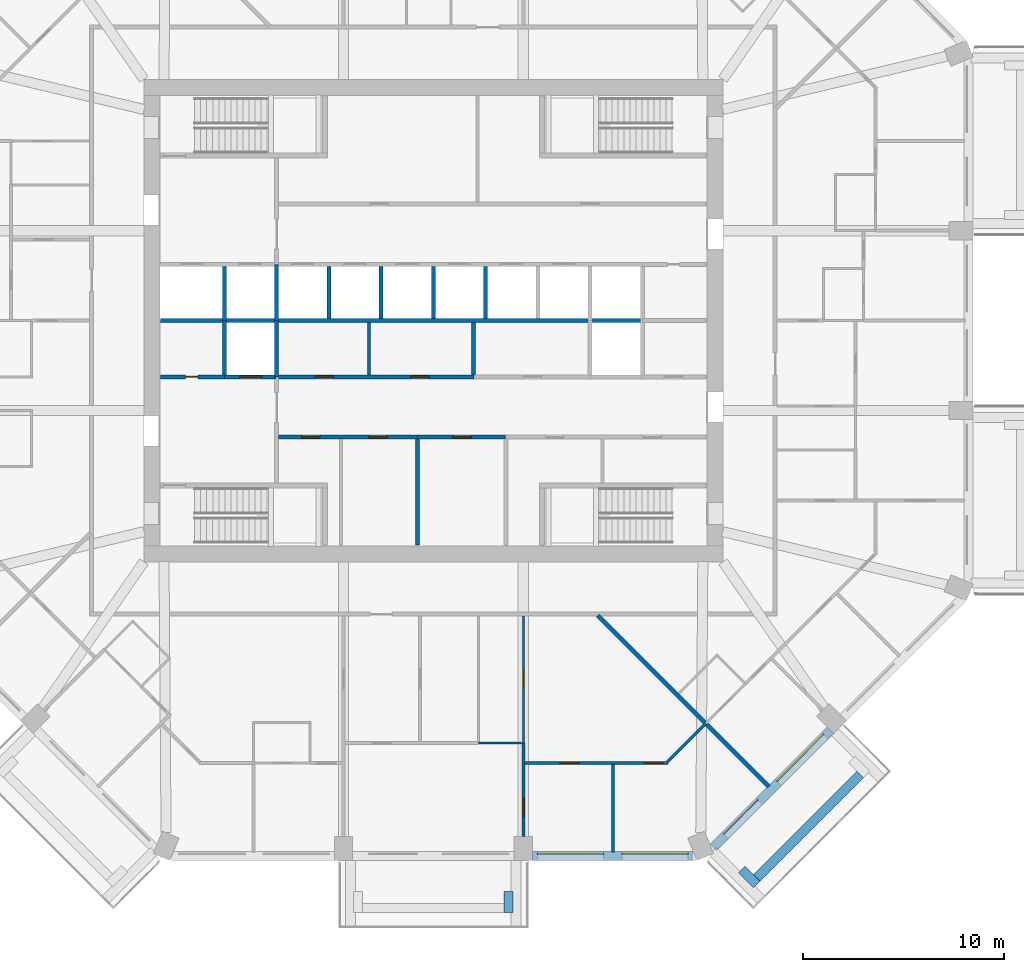
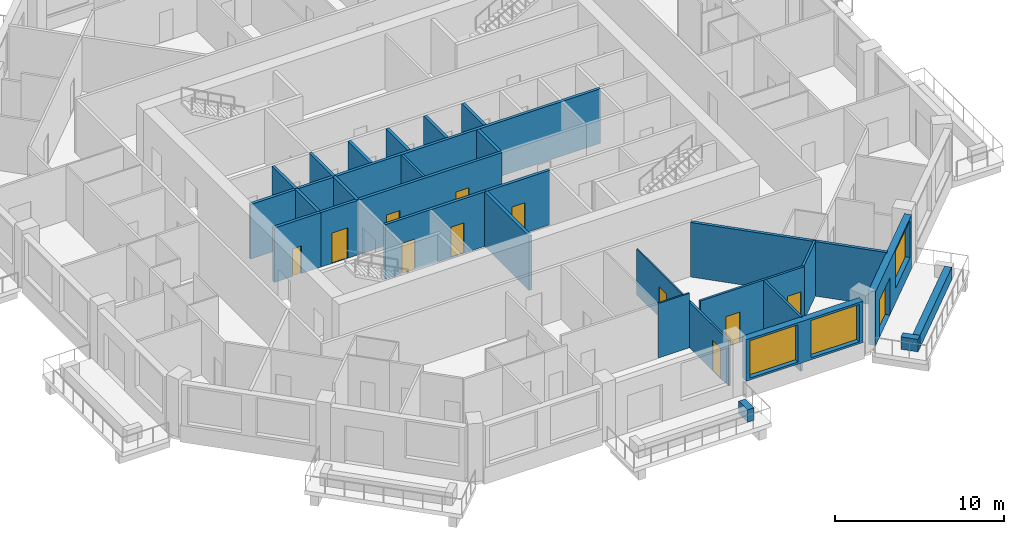
# One storey, part 5 of 13: 29 walls, 12 doors, 3 windows, 15 openings.
"""IFC4 building model written with IfcOpenShell, lengths in metres."""

from ifc_helpers import new_model, si_unit, direction, frame, frame_2d, origin, place, context, subcontext, project, spatial, rectangle, extrude, material, layer, layer_set, type_object, element, fill, save


model = new_model("IFC4")

# Units and contexts
model_context = context("Model", 3, precision=1e-05, world=origin(), true_north=direction((0.0, 1.0)))
body_context = subcontext(model_context, "Body", "Model", "MODEL_VIEW")
ifc_project = project(units=[si_unit("LENGTHUNIT", "METRE"), si_unit("AREAUNIT", "SQUARE_METRE"), si_unit("VOLUMEUNIT", "CUBIC_METRE"), si_unit("PLANEANGLEUNIT", "RADIAN"), si_unit("MASSUNIT", "GRAM", prefix="KILO")], contexts=[model_context])

# Site, building, storey
site_placement = place(None, origin())
site = spatial("IfcSite", under=ifc_project, at=site_placement, CompositionType="ELEMENT")
building_placement = place(site_placement, origin())
building = spatial("IfcBuilding", under=site, at=building_placement, Name="Msitu Wima Residences", CompositionType="ELEMENT")
storey_placement = place(building_placement, frame((0.0, 0.0, 131.699951171875)))
storey = spatial("IfcBuildingStorey", under=building, at=storey_placement, Name="L30", CompositionType="ELEMENT", Elevation=131.699951171875)

# Walls
ifc_material_1 = material(Name="Facing brick")
ifc_layer_1 = layer(ifc_material_1, 0.06494140625, Name="Facing brick")
ifc_material_2 = material(Name="Concrete C40/50", Category="concrete")
ifc_layer_2 = layer(ifc_material_2, 0.156005859375, Name="Concrete C40/50")
ifc_material_3 = material(Name="Waterproofing membrane")
ifc_layer_3 = layer(ifc_material_3, 0.00390625, Name="Waterproofing membrane")
ifc_material_4 = material(Name="Planting soil and planting")
ifc_layer_4 = layer(ifc_material_4, 0.22509765625, Name="Planting soil and planting")
ifc_layer_set_1 = layer_set([ifc_layer_1, ifc_layer_2, ifc_layer_3, ifc_layer_4], Name="Concrete C40/50")
wall_type_1 = type_object("IfcWallType", Name="Balcony planter PLANTER PL450", PredefinedType="USERDEFINED", material=ifc_layer_set_1)
wall_1_placement = place(storey_placement, frame((3.74365234375, -28.39990234375, 0.0), z_axis=(0.0, 0.0, 1.0), x_axis=(0.0, -1.0, 0.0)))
element("IfcWall", 1, at=wall_1_placement, inside=storey, type_object=wall_type_1, Name="Balcony planter S1 L30", ObjectType="PLANTER", PredefinedType="USERDEFINED", context=body_context, shape_type="SweptSolid", body=[
    extrude(rectangle(XDim=1.050048828125, YDim=0.449951171875, at=frame_2d((0.52490234375, 0.0))), origin(), (0.0, 0.0, 1.0), 0.900146484375),
])
wall_2_placement = place(storey_placement, frame((16.0751953125, -27.725830078125, 0.0), z_axis=(0.0, 0.0, 1.0), x_axis=(0.707106781187, 0.707106781187, 0.0)))
element("IfcWall", 2, at=wall_2_placement, inside=storey, type_object=wall_type_1, Name="Balcony planter SE0 L30", ObjectType="PLANTER", PredefinedType="USERDEFINED", context=body_context, shape_type="SweptSolid", body=[
    extrude(rectangle(XDim=7.288330078125, YDim=0.449951171875, at=frame_2d((3.64404296875, 0.0))), origin(), (0.0, 0.0, 1.0), 0.900146484375),
])
wall_3_placement = place(storey_placement, frame((15.332763671875, -27.301513671875, 0.0), z_axis=(0.0, 0.0, 1.0), x_axis=(0.707106781187, -0.707106781187, 0.0)))
element("IfcWall", 3, at=wall_3_placement, inside=storey, type_object=wall_type_1, Name="Balcony planter SE0 L30", ObjectType="PLANTER", PredefinedType="USERDEFINED", context=body_context, shape_type="SweptSolid", body=[
    extrude(rectangle(XDim=1.050048828125, YDim=0.449951171875, at=frame_2d((0.52490234375, 0.0))), origin(), (0.0, 0.0, 1.0), 0.900146484375),
])

# Wall, openings, windows
ifc_material_5 = material(Name="Brick (red buff mix)", Category="masonry")
ifc_layer_5 = layer(ifc_material_5, 0.449951171875)
ifc_layer_set_2 = layer_set([ifc_layer_5], Name="Brick (red buff mix)")
wall_type_2 = type_object("IfcWallType", Name="Brick infill wall BW450", PredefinedType="SOLIDWALL", material=ifc_layer_set_2)
wall_4_placement = place(storey_placement, frame((4.918701171875, -26.625, 0.900146484375), z_axis=(0.0, 0.0, 1.0), x_axis=(1.0, 0.0, 0.0)))
wall_4 = element("IfcWall", 4, at=wall_4_placement, inside=storey, type_object=wall_type_2, Name="Brick infill wall L30 S2", PredefinedType="SOLIDWALL", context=body_context, shape_type="SweptSolid", body=[
    extrude(rectangle(XDim=8.0, YDim=0.449951171875, at=frame_2d((4.0, 0.0))), origin(), (0.0, 0.0, 1.0), 3.0),
])
opening_1_placement = place(wall_4_placement, frame((0.25, 0.0, 0.14990234375)))
opening_1 = element("IfcOpeningElement", 5, at=opening_1_placement, cuts=wall_4, Name="Opening W30-32.019", PredefinedType="OPENING", context=body_context, shape_type="SweptSolid", body=[
    extrude(rectangle(XDim=3.300048828125, YDim=2.699951171875, at=frame_2d((1.64990234375, 1.35009765625))), frame((0.0, 0.23486328125, 0.0), z_axis=(0.0, -1.0, 0.0), x_axis=(1.0, 0.0, 0.0)), (0.0, 0.0, 1.0), 0.469970703125),
])
opening_2_placement = place(wall_4_placement, frame((4.4501953125, 0.0, 0.14990234375)))
opening_2 = element("IfcOpeningElement", 6, at=opening_2_placement, cuts=wall_4, Name="Opening W30-32.020", PredefinedType="OPENING", context=body_context, shape_type="SweptSolid", body=[
    extrude(rectangle(XDim=3.300048828125, YDim=2.699951171875, at=frame_2d((1.64990234375, 1.35009765625))), frame((0.0, 0.23486328125, 0.0), z_axis=(0.0, -1.0, 0.0), x_axis=(1.0, 0.0, 0.0)), (0.0, 0.0, 1.0), 0.469970703125),
])
ifc_material_6 = material(Name="Anodised aluminium, bronze finish, clear low-emissivity double glazing", Category="aluminium")
window_type = type_object("IfcWindowType", Name="Window W3300x2700", PartitioningType="DOUBLE_PANEL_VERTICAL", PredefinedType="WINDOW", material=ifc_material_6)
window_1_placement = place(opening_1_placement, origin())
window_1 = element("IfcWindow", 7, at=window_1_placement, inside=storey, type_object=window_type, Name="Window L30 S2.1", OverallHeight=2.699951171875, OverallWidth=3.300048828125, PartitioningType="SINGLE_PANEL", PredefinedType="WINDOW", context=body_context, shape_type="SweptSolid", body=[
    extrude(rectangle(XDim=3.300048828125, YDim=2.699951171875, at=frame_2d((1.64990234375, 1.35009765625))), frame((0.0, 0.135009765625, 0.0), z_axis=(0.0, -1.0, 0.0), x_axis=(1.0, 0.0, 0.0)), (0.0, 0.0, 1.0), 0.06005859375),
])
fill(opening_1, window_1)
window_2_placement = place(opening_2_placement, origin())
window_2 = element("IfcWindow", 8, at=window_2_placement, inside=storey, type_object=window_type, Name="Window L30 S2.2", OverallHeight=2.699951171875, OverallWidth=3.300048828125, PartitioningType="SINGLE_PANEL", PredefinedType="WINDOW", context=body_context, shape_type="SweptSolid", body=[
    extrude(rectangle(XDim=3.300048828125, YDim=2.699951171875, at=frame_2d((1.64990234375, 1.35009765625))), frame((0.0, 0.135009765625, 0.0), z_axis=(0.0, -1.0, 0.0), x_axis=(1.0, 0.0, 0.0)), (0.0, 0.0, 1.0), 0.06005859375),
])
fill(opening_2, window_2)

# Wall, openings, door, window
wall_5_placement = place(storey_placement, frame((13.909423828125, -26.214599609375, 0.0), z_axis=(0.0, 0.0, 1.0), x_axis=(0.707106781187, 0.707106781187, 0.0)))
wall_5 = element("IfcWall", 9, at=wall_5_placement, inside=storey, type_object=wall_type_2, Name="Brick infill wall L30 SE0", PredefinedType="SOLIDWALL", context=body_context, shape_type="SweptSolid", body=[
    extrude(rectangle(XDim=8.251220703125, YDim=0.449951171875, at=frame_2d((4.12548828125, 0.0))), origin(), (0.0, 0.0, 1.0), 3.900146484375),
])
opening_3_placement = place(wall_5_placement, frame((0.86279296875, 0.0, 0.0)))
opening_3 = element("IfcOpeningElement", 10, at=opening_3_placement, cuts=wall_5, Name="Opening D30-32.007", PredefinedType="OPENING", context=body_context, shape_type="SweptSolid", body=[
    extrude(rectangle(XDim=2.39990234375, YDim=2.699951171875, at=frame_2d((1.199951171875, 1.35009765625))), frame((0.0, 0.23486328125, 0.0), z_axis=(0.0, -1.0, 0.0), x_axis=(1.0, 0.0, 0.0)), (0.0, 0.0, 1.0), 0.469970703125),
])
opening_4_placement = place(wall_5_placement, frame((4.57568359375, 0.0, 1.050048828125)))
opening_4 = element("IfcOpeningElement", 11, at=opening_4_placement, cuts=wall_5, Name="Opening W30-32.021", PredefinedType="OPENING", context=body_context, shape_type="SweptSolid", body=[
    extrude(rectangle(XDim=3.300048828125, YDim=2.699951171875, at=frame_2d((1.64990234375, 1.35009765625))), frame((0.0, 0.23486328125, 0.0), z_axis=(0.0, -1.0, 0.0), x_axis=(1.0, 0.0, 0.0)), (0.0, 0.0, 1.0), 0.469970703125),
])
door_type_1 = type_object("IfcDoorType", Name="Balcony door D2400x2700", OperationType="SLIDING_TO_LEFT", PredefinedType="DOOR", material=ifc_material_6)
door_1_placement = place(opening_3_placement, origin())
door_1 = element("IfcDoor", 12, at=door_1_placement, inside=storey, type_object=door_type_1, Name="Balcony door L30 SE0", OperationType="SINGLE_SWING_LEFT", OverallHeight=2.699951171875, OverallWidth=2.39990234375, PredefinedType="DOOR", context=body_context, shape_type="SweptSolid", body=[
    extrude(rectangle(XDim=2.39990234375, YDim=2.699951171875, at=frame_2d((1.199951171875, 1.35009765625))), frame((0.0, 0.1298828125, 0.0), z_axis=(0.0, -1.0, 0.0), x_axis=(1.0, 0.0, 0.0)), (0.0, 0.0, 1.0), 0.050048828125),
])
fill(opening_3, door_1)
window_3_placement = place(opening_4_placement, origin())
window_3 = element("IfcWindow", 13, at=window_3_placement, inside=storey, type_object=window_type, Name="Window L30 SE0.2", OverallHeight=2.699951171875, OverallWidth=3.300048828125, PartitioningType="SINGLE_PANEL", PredefinedType="WINDOW", context=body_context, shape_type="SweptSolid", body=[
    extrude(rectangle(XDim=3.300048828125, YDim=2.699951171875, at=frame_2d((1.64990234375, 1.35009765625))), frame((0.0, 0.135009765625, 0.0), z_axis=(0.0, -1.0, 0.0), x_axis=(1.0, 0.0, 0.0)), (0.0, 0.0, 1.0), 0.06005859375),
])
fill(opening_4, window_3)

# Wall, openings, doors
ifc_material_7 = material(Name="Plaster")
ifc_layer_6 = layer(ifc_material_7, 0.011962890625, Name="Plaster")
ifc_material_8 = material(Name="Concrete blockwork", Category="masonry")
ifc_layer_7 = layer(ifc_material_8, 0.176025390625, Name="Concrete blockwork")
ifc_layer_8 = layer(ifc_material_7, 0.011962890625, Name="Plaster")
ifc_layer_set_3 = layer_set([ifc_layer_6, ifc_layer_7, ifc_layer_8], Name="Concrete blockwork")
wall_type_3 = type_object("IfcWallType", Name="Corridor wall FW200", PredefinedType="PARTITIONING", material=ifc_layer_set_3)
wall_6_placement = place(storey_placement, frame((-7.820068359375, -2.800048828125, 0.0), z_axis=(0.0, 0.0, 1.0), x_axis=(1.0, 0.0, 0.0)))
wall_6 = element("IfcWall", 14, at=wall_6_placement, inside=storey, type_object=wall_type_3, Name="Corridor wall", PredefinedType="PARTITIONING", context=body_context, shape_type="SweptSolid", body=[
    extrude(rectangle(XDim=9.840087890625, YDim=0.199951171875, at=frame_2d((4.919921875, 0.0))), origin(), (0.0, 0.0, 1.0), 3.949951171875),
])
opening_5_placement = place(wall_6_placement, frame((1.949951171875, 0.0, 0.0)))
opening_5 = element("IfcOpeningElement", 15, at=opening_5_placement, cuts=wall_6, Name="Opening D30-32.031", PredefinedType="OPENING", context=body_context, shape_type="SweptSolid", body=[
    extrude(rectangle(XDim=0.89990234375, YDim=2.199951171875, at=frame_2d((0.449951171875, 1.10009765625))), frame((0.0, 0.10986328125, 0.0), z_axis=(0.0, -1.0, 0.0), x_axis=(1.0, 0.0, 0.0)), (0.0, 0.0, 1.0), 0.219970703125),
])
opening_6_placement = place(wall_6_placement, frame((6.699951171875, 0.0, 0.0)))
opening_6 = element("IfcOpeningElement", 16, at=opening_6_placement, cuts=wall_6, Name="Opening D30-32.032", PredefinedType="OPENING", context=body_context, shape_type="SweptSolid", body=[
    extrude(rectangle(XDim=0.89990234375, YDim=2.199951171875, at=frame_2d((0.449951171875, 1.10009765625))), frame((0.0, 0.10986328125, 0.0), z_axis=(0.0, -1.0, 0.0), x_axis=(1.0, 0.0, 0.0)), (0.0, 0.0, 1.0), 0.219970703125),
])
ifc_material_9 = material(Name="Timber flush door", Category="wood")
door_type_2 = type_object("IfcDoorType", Name="Service door D05 900x2200", OperationType="SINGLE_SWING_LEFT", PredefinedType="DOOR", material=ifc_material_9)
door_2_placement = place(opening_5_placement, origin())
door_2 = element("IfcDoor", 17, at=door_2_placement, inside=storey, type_object=door_type_2, Name="Service door", OperationType="SINGLE_SWING_RIGHT", OverallHeight=2.199951171875, OverallWidth=0.89990234375, PredefinedType="DOOR", context=body_context, shape_type="SweptSolid", body=[
    extrude(rectangle(XDim=0.89990234375, YDim=2.199951171875, at=frame_2d((0.449951171875, 1.10009765625))), frame((0.0, 0.02490234375, 0.0), z_axis=(0.0, -1.0, 0.0), x_axis=(1.0, 0.0, 0.0)), (0.0, 0.0, 1.0), 0.050048828125),
])
fill(opening_5, door_2)
door_3_placement = place(opening_6_placement, origin())
door_3 = element("IfcDoor", 18, at=door_3_placement, inside=storey, type_object=door_type_2, Name="Service door", OperationType="SINGLE_SWING_LEFT", OverallHeight=2.199951171875, OverallWidth=0.89990234375, PredefinedType="DOOR", context=body_context, shape_type="SweptSolid", body=[
    extrude(rectangle(XDim=0.89990234375, YDim=2.199951171875, at=frame_2d((0.449951171875, 1.10009765625))), frame((0.0, 0.02490234375, 0.0), z_axis=(0.0, -1.0, 0.0), x_axis=(1.0, 0.0, 0.0)), (0.0, 0.0, 1.0), 0.050048828125),
])
fill(opening_6, door_3)

wall_7_placement = place(storey_placement, frame((-7.699951171875, -5.800048828125, 0.0), z_axis=(0.0, 0.0, 1.0), x_axis=(1.0, 0.0, 0.0)))
wall_7 = element("IfcWall", 19, at=wall_7_placement, inside=storey, type_object=wall_type_3, Name="Corridor wall", PredefinedType="PARTITIONING", context=body_context, shape_type="SweptSolid", body=[
    extrude(rectangle(XDim=6.919921875, YDim=0.199951171875, at=frame_2d((3.4599609375, 0.0))), origin(), (0.0, 0.0, 1.0), 3.949951171875),
])
opening_7_placement = place(wall_7_placement, frame((1.14990234375, 0.0, 0.0)))
opening_7 = element("IfcOpeningElement", 20, at=opening_7_placement, cuts=wall_7, Name="Opening D30-32.022", PredefinedType="OPENING", context=body_context, shape_type="SweptSolid", body=[
    extrude(rectangle(XDim=0.89990234375, YDim=2.199951171875, at=frame_2d((0.449951171875, 1.10009765625))), frame((0.0, 0.10986328125, 0.0), z_axis=(0.0, -1.0, 0.0), x_axis=(1.0, 0.0, 0.0)), (0.0, 0.0, 1.0), 0.219970703125),
])
opening_8_placement = place(wall_7_placement, frame((4.5, 0.0, 0.0)))
opening_8 = element("IfcOpeningElement", 21, at=opening_8_placement, cuts=wall_7, Name="Opening D30-32.023", PredefinedType="OPENING", context=body_context, shape_type="SweptSolid", body=[
    extrude(rectangle(XDim=0.89990234375, YDim=2.199951171875, at=frame_2d((0.449951171875, 1.10009765625))), frame((0.0, 0.10986328125, 0.0), z_axis=(0.0, -1.0, 0.0), x_axis=(1.0, 0.0, 0.0)), (0.0, 0.0, 1.0), 0.219970703125),
])
door_4_placement = place(opening_7_placement, origin())
door_4 = element("IfcDoor", 22, at=door_4_placement, inside=storey, type_object=door_type_2, Name="Service door", OperationType="SINGLE_SWING_LEFT", OverallHeight=2.199951171875, OverallWidth=0.89990234375, PredefinedType="DOOR", context=body_context, shape_type="SweptSolid", body=[
    extrude(rectangle(XDim=0.89990234375, YDim=2.199951171875, at=frame_2d((0.449951171875, 1.10009765625))), frame((0.0, 0.02490234375, 0.0), z_axis=(0.0, -1.0, 0.0), x_axis=(1.0, 0.0, 0.0)), (0.0, 0.0, 1.0), 0.050048828125),
])
fill(opening_7, door_4)
door_5_placement = place(opening_8_placement, origin())
door_5 = element("IfcDoor", 23, at=door_5_placement, inside=storey, type_object=door_type_2, Name="Service door", OperationType="SINGLE_SWING_RIGHT", OverallHeight=2.199951171875, OverallWidth=0.89990234375, PredefinedType="DOOR", context=body_context, shape_type="SweptSolid", body=[
    extrude(rectangle(XDim=0.89990234375, YDim=2.199951171875, at=frame_2d((0.449951171875, 1.10009765625))), frame((0.0, 0.02490234375, 0.0), z_axis=(0.0, -1.0, 0.0), x_axis=(1.0, 0.0, 0.0)), (0.0, 0.0, 1.0), 0.050048828125),
])
fill(opening_8, door_5)

# Wall
ifc_layer_9 = layer(ifc_material_7, 0.011962890625, Name="Plaster")
ifc_layer_10 = layer(ifc_material_8, 0.1259765625, Name="Concrete blockwork")
ifc_layer_11 = layer(ifc_material_7, 0.011962890625, Name="Plaster")
ifc_layer_set_4 = layer_set([ifc_layer_9, ifc_layer_10, ifc_layer_11], Name="Concrete blockwork")
wall_type_4 = type_object("IfcWallType", Name="Partition PW150", PredefinedType="PARTITIONING", material=ifc_layer_set_4)
wall_8_placement = place(storey_placement, frame((-3.199951171875, -2.699951171875, 0.0), z_axis=(0.0, 0.0, 1.0), x_axis=(0.0, 1.0, 0.0)))
element("IfcWall", 24, at=wall_8_placement, inside=storey, type_object=wall_type_4, Name="Partition", PredefinedType="PARTITIONING", context=body_context, shape_type="SweptSolid", body=[
    extrude(rectangle(XDim=2.599853515625, YDim=0.14990234375, at=frame_2d((1.2998046875, 0.0))), origin(), (0.0, 0.0, 1.0), 3.949951171875),
])

# Wall, opening, door
wall_9_placement = place(storey_placement, frame((4.46875, -25.64990234375, 0.0), z_axis=(0.0, 0.0, 1.0), x_axis=(0.0, 1.0, 0.0)))
wall_9 = element("IfcWall", 25, at=wall_9_placement, inside=storey, type_object=wall_type_4, Name="Partition", PredefinedType="PARTITIONING", context=body_context, shape_type="SweptSolid", body=[
    extrude(rectangle(XDim=4.6298828125, YDim=0.14990234375, at=frame_2d((2.31494140625, 0.0))), origin(), (0.0, 0.0, 1.0), 3.300048828125),
])
opening_9_placement = place(wall_9_placement, frame((0.949951171875, 0.0, 0.0)))
opening_9 = element("IfcOpeningElement", 26, at=opening_9_placement, cuts=wall_9, Name="Opening D30-32.068", PredefinedType="OPENING", context=body_context, shape_type="SweptSolid", body=[
    extrude(rectangle(XDim=0.949951171875, YDim=2.199951171875, at=frame_2d((0.47509765625, 1.10009765625))), frame((0.0, 0.0849609375, 0.0), z_axis=(0.0, -1.0, 0.0), x_axis=(1.0, 0.0, 0.0)), (0.0, 0.0, 1.0), 0.169921875),
])
door_type_3 = type_object("IfcDoorType", Name="Room door D12 950x2200", OperationType="SINGLE_SWING_LEFT", PredefinedType="DOOR", material=ifc_material_9)
door_6_placement = place(opening_9_placement, origin())
door_6 = element("IfcDoor", 27, at=door_6_placement, inside=storey, type_object=door_type_3, Name="Room door", OperationType="SINGLE_SWING_LEFT", OverallHeight=2.199951171875, OverallWidth=0.949951171875, PredefinedType="DOOR", context=body_context, shape_type="SweptSolid", body=[
    extrude(rectangle(XDim=0.949951171875, YDim=2.199951171875, at=frame_2d((0.47509765625, 1.10009765625))), frame((0.0, 0.02490234375, 0.0), z_axis=(0.0, -1.0, 0.0), x_axis=(1.0, 0.0, 0.0)), (0.0, 0.0, 1.0), 0.050048828125),
])
fill(opening_9, door_6)

# Wall, openings, doors
wall_10_placement = place(storey_placement, frame((4.543701171875, -22.0, 0.0), z_axis=(0.0, 0.0, 1.0), x_axis=(1.0, 0.0, 0.0)))
wall_10 = element("IfcWall", 28, at=wall_10_placement, inside=storey, type_object=wall_type_4, Name="Partition", PredefinedType="PARTITIONING", context=body_context, shape_type="SweptSolid", body=[
    extrude(rectangle(XDim=7.11474609375, YDim=0.14990234375, at=frame_2d((3.557373046875, 0.0))), origin(), (0.0, 0.0, 1.0), 3.949951171875),
])
opening_10_placement = place(wall_10_placement, frame((1.75, 0.0, 0.0)))
opening_10 = element("IfcOpeningElement", 29, at=opening_10_placement, cuts=wall_10, Name="Opening D30-32.069", PredefinedType="OPENING", context=body_context, shape_type="SweptSolid", body=[
    extrude(rectangle(XDim=0.949951171875, YDim=2.199951171875, at=frame_2d((0.47509765625, 1.10009765625))), frame((0.0, 0.0849609375, 0.0), z_axis=(0.0, -1.0, 0.0), x_axis=(1.0, 0.0, 0.0)), (0.0, 0.0, 1.0), 0.169921875),
])
opening_11_placement = place(wall_10_placement, frame((5.949951171875, 0.0, 0.0)))
opening_11 = element("IfcOpeningElement", 30, at=opening_11_placement, cuts=wall_10, Name="Opening D30-32.072", PredefinedType="OPENING", context=body_context, shape_type="SweptSolid", body=[
    extrude(rectangle(XDim=0.949951171875, YDim=2.199951171875, at=frame_2d((0.47509765625, 1.10009765625))), frame((0.0, 0.0849609375, 0.0), z_axis=(0.0, -1.0, 0.0), x_axis=(1.0, 0.0, 0.0)), (0.0, 0.0, 1.0), 0.169921875),
])
door_7_placement = place(opening_10_placement, origin())
door_7 = element("IfcDoor", 31, at=door_7_placement, inside=storey, type_object=door_type_3, Name="Room door", OperationType="SINGLE_SWING_LEFT", OverallHeight=2.199951171875, OverallWidth=0.949951171875, PredefinedType="DOOR", context=body_context, shape_type="SweptSolid", body=[
    extrude(rectangle(XDim=0.949951171875, YDim=2.199951171875, at=frame_2d((0.47509765625, 1.10009765625))), frame((0.0, 0.02490234375, 0.0), z_axis=(0.0, -1.0, 0.0), x_axis=(1.0, 0.0, 0.0)), (0.0, 0.0, 1.0), 0.050048828125),
])
fill(opening_10, door_7)
door_8_placement = place(opening_11_placement, origin())
door_8 = element("IfcDoor", 32, at=door_8_placement, inside=storey, type_object=door_type_3, Name="Room door", OperationType="SINGLE_SWING_RIGHT", OverallHeight=2.199951171875, OverallWidth=0.949951171875, PredefinedType="DOOR", context=body_context, shape_type="SweptSolid", body=[
    extrude(rectangle(XDim=0.949951171875, YDim=2.199951171875, at=frame_2d((0.47509765625, 1.10009765625))), frame((0.0, 0.02490234375, 0.0), z_axis=(0.0, -1.0, 0.0), x_axis=(1.0, 0.0, 0.0)), (0.0, 0.0, 1.0), 0.050048828125),
])
fill(opening_11, door_8)

# Walls
wall_11_placement = place(storey_placement, frame((8.937255859375, -26.455078125, 0.0), z_axis=(0.0, 0.0, 1.0), x_axis=(0.0, 1.0, 0.0)))
element("IfcWall", 33, at=wall_11_placement, inside=storey, type_object=wall_type_4, Name="Partition", PredefinedType="PARTITIONING", context=body_context, shape_type="SweptSolid", body=[
    extrude(rectangle(XDim=4.380126953125, YDim=0.14990234375, at=frame_2d((2.18994140625, 0.0))), origin(), (0.0, 0.0, 1.0), 3.949951171875),
])
wall_12_placement = place(storey_placement, frame((11.636474609375, -21.947021484375, 0.0), z_axis=(0.0, 0.0, 1.0), x_axis=(0.707106781187, 0.707106781187, 0.0)))
element("IfcWall", 34, at=wall_12_placement, inside=storey, type_object=wall_type_4, Name="Partition", PredefinedType="PARTITIONING", context=body_context, shape_type="SweptSolid", body=[
    extrude(rectangle(XDim=2.696533203125, YDim=0.14990234375, at=frame_2d((1.34814453125, 0.0))), origin(), (0.0, 0.0, 1.0), 3.949951171875),
])
ifc_layer_12 = layer(ifc_material_7, 0.011962890625, Name="Plaster")
ifc_material_10 = material(Name="Dense concrete blockwork", Category="masonry")
ifc_layer_13 = layer(ifc_material_10, 0.176025390625, Name="Dense concrete blockwork")
ifc_layer_14 = layer(ifc_material_7, 0.011962890625, Name="Plaster")
ifc_layer_set_5 = layer_set([ifc_layer_12, ifc_layer_13, ifc_layer_14], Name="Dense concrete blockwork")
wall_type_5 = type_object("IfcWallType", Name="Party wall PW200", PredefinedType="PARTITIONING", material=ifc_layer_set_5)
wall_13_placement = place(storey_placement, frame((8.173583984375, -14.670654296875, 0.0), z_axis=(0.0, 0.0, 1.0), x_axis=(0.707106781187, -0.707106781187, 0.0)))
element("IfcWall", 35, at=wall_13_placement, inside=storey, type_object=wall_type_5, Name="Party wall", PredefinedType="PARTITIONING", context=body_context, shape_type="SweptSolid", body=[
    extrude(rectangle(XDim=12.048828125, YDim=0.199951171875, at=frame_2d((6.0244140625, 0.0))), origin(), (0.0, 0.0, 1.0), 3.949951171875),
])

# Wall, opening, door
ifc_layer_15 = layer(ifc_material_7, 0.011962890625, Name="Plaster")
ifc_material_11 = material(Name="Reinforced concrete blockwork", Category="masonry")
ifc_layer_16 = layer(ifc_material_11, 0.176025390625, Name="Reinforced concrete blockwork")
ifc_layer_17 = layer(ifc_material_7, 0.011962890625, Name="Plaster")
ifc_layer_set_6 = layer_set([ifc_layer_15, ifc_layer_16, ifc_layer_17], Name="Reinforced concrete blockwork")
wall_type_6 = type_object("IfcWallType", Name="Plant and riser wall PL200", PredefinedType="PARTITIONING", material=ifc_layer_set_6)
wall_14_placement = place(storey_placement, frame((-13.570068359375, -2.800048828125, 0.0), z_axis=(0.0, 0.0, 1.0), x_axis=(1.0, 0.0, 0.0)))
wall_14 = element("IfcWall", 36, at=wall_14_placement, inside=storey, type_object=wall_type_6, Name="Plant and riser wall", PredefinedType="PARTITIONING", context=body_context, shape_type="SweptSolid", body=[
    extrude(rectangle(XDim=3.190185546875, YDim=0.199951171875, at=frame_2d((1.59521484375, 0.0))), origin(), (0.0, 0.0, 1.0), 3.949951171875),
])
opening_12_placement = place(wall_14_placement, frame((1.25, 0.0, 0.0)))
opening_12 = element("IfcOpeningElement", 37, at=opening_12_placement, cuts=wall_14, Name="Opening D30-32.030", PredefinedType="OPENING", context=body_context, shape_type="SweptSolid", body=[
    extrude(rectangle(XDim=0.60009765625, YDim=2.0, at=frame_2d((0.300048828125, 1.0))), frame((0.0, 0.10986328125, 0.0), z_axis=(0.0, -1.0, 0.0), x_axis=(1.0, 0.0, 0.0)), (0.0, 0.0, 1.0), 0.219970703125),
])
ifc_material_12 = material(Name="Steel access door, fire resisting", Category="steel")
door_type_4 = type_object("IfcDoorType", Name="Riser access door D08 600x2000", OperationType="SINGLE_SWING_LEFT", PredefinedType="DOOR", material=ifc_material_12)
door_9_placement = place(opening_12_placement, origin())
door_9 = element("IfcDoor", 38, at=door_9_placement, inside=storey, type_object=door_type_4, Name="Riser access door", OperationType="SINGLE_SWING_RIGHT", OverallHeight=2.0, OverallWidth=0.60009765625, PredefinedType="DOOR", context=body_context, shape_type="SweptSolid", body=[
    extrude(rectangle(XDim=0.60009765625, YDim=2.0, at=frame_2d((0.300048828125, 1.0))), frame((0.0, 0.02490234375, 0.0), z_axis=(0.0, -1.0, 0.0), x_axis=(1.0, 0.0, 0.0)), (0.0, 0.0, 1.0), 0.050048828125),
])
fill(opening_12, door_9)

wall_15_placement = place(storey_placement, frame((-0.780029296875, -5.800048828125, 0.0), z_axis=(0.0, 0.0, 1.0), x_axis=(1.0, 0.0, 0.0)))
wall_15 = element("IfcWall", 39, at=wall_15_placement, inside=storey, type_object=wall_type_6, Name="Plant and riser wall", PredefinedType="PARTITIONING", context=body_context, shape_type="SweptSolid", body=[
    extrude(rectangle(XDim=4.360107421875, YDim=0.199951171875, at=frame_2d((2.18017578125, 0.0))), origin(), (0.0, 0.0, 1.0), 3.949951171875),
])
opening_13_placement = place(wall_15_placement, frame((1.75, 0.0, 0.0)))
opening_13 = element("IfcOpeningElement", 40, at=opening_13_placement, cuts=wall_15, Name="Opening D30-32.024", PredefinedType="OPENING", context=body_context, shape_type="SweptSolid", body=[
    extrude(rectangle(XDim=0.89990234375, YDim=2.199951171875, at=frame_2d((0.449951171875, 1.10009765625))), frame((0.0, 0.10986328125, 0.0), z_axis=(0.0, -1.0, 0.0), x_axis=(1.0, 0.0, 0.0)), (0.0, 0.0, 1.0), 0.219970703125),
])
door_10_placement = place(opening_13_placement, origin())
door_10 = element("IfcDoor", 41, at=door_10_placement, inside=storey, type_object=door_type_2, Name="Service door", OperationType="SINGLE_SWING_LEFT", OverallHeight=2.199951171875, OverallWidth=0.89990234375, PredefinedType="DOOR", context=body_context, shape_type="SweptSolid", body=[
    extrude(rectangle(XDim=0.89990234375, YDim=2.199951171875, at=frame_2d((0.449951171875, 1.10009765625))), frame((0.0, 0.02490234375, 0.0), z_axis=(0.0, -1.0, 0.0), x_axis=(1.0, 0.0, 0.0)), (0.0, 0.0, 1.0), 0.050048828125),
])
fill(opening_13, door_10)

# Walls
wall_16_placement = place(storey_placement, frame((-0.800048828125, -11.169921875, 0.0), z_axis=(0.0, 0.0, 1.0), x_axis=(0.0, 1.0, 0.0)))
element("IfcWall", 42, at=wall_16_placement, inside=storey, type_object=wall_type_6, Name="Plant and riser wall", PredefinedType="PARTITIONING", context=body_context, shape_type="SweptSolid", body=[
    extrude(rectangle(XDim=5.27001953125, YDim=0.199951171875, at=frame_2d((2.635009765625, 0.0))), origin(), (0.0, 0.0, 1.0), 3.949951171875),
])
wall_17_placement = place(storey_placement, frame((2.0, -2.699951171875, 0.0), z_axis=(0.0, 0.0, 1.0), x_axis=(0.0, 1.0, 0.0)))
element("IfcWall", 43, at=wall_17_placement, inside=storey, type_object=wall_type_6, Name="Plant and riser wall", PredefinedType="PARTITIONING", context=body_context, shape_type="SweptSolid", body=[
    extrude(rectangle(XDim=2.599853515625, YDim=0.199951171875, at=frame_2d((1.2998046875, 0.0))), origin(), (0.0, 0.0, 1.0), 3.949951171875),
])
ifc_material_13 = material(Name="Fire-rated board")
ifc_layer_18 = layer(ifc_material_13, 0.02490234375, Name="Fire-rated board")
ifc_material_14 = material(Name="Light-gauge stud framing with mineral wool")
ifc_layer_19 = layer(ifc_material_14, 0.14990234375, Name="Light-gauge stud framing with mineral wool")
ifc_layer_20 = layer(ifc_material_13, 0.02490234375, Name="Fire-rated board")
ifc_layer_set_7 = layer_set([ifc_layer_18, ifc_layer_19, ifc_layer_20], Name="Light-gauge stud framing with mineral wool")
wall_type_7 = type_object("IfcWallType", Name="Shaft wall SH200", PredefinedType="PARTITIONING", material=ifc_layer_set_7)
wall_18_placement = place(storey_placement, frame((-13.570068359375, 0.0, 0.0), z_axis=(0.0, 0.0, 1.0), x_axis=(1.0, 0.0, 0.0)))
element("IfcWall", 44, at=wall_18_placement, inside=storey, type_object=wall_type_7, Name="Shaft wall", PredefinedType="PARTITIONING", context=body_context, shape_type="SweptSolid", body=[
    extrude(rectangle(XDim=23.969970703125, YDim=0.199951171875, at=frame_2d((11.98486328125, 0.0))), origin(), (0.0, 0.0, 1.0), 3.949951171875),
])
wall_19_placement = place(storey_placement, frame((-10.39990234375, -2.699951171875, 0.0), z_axis=(0.0, 0.0, 1.0), x_axis=(0.0, 1.0, 0.0)))
element("IfcWall", 45, at=wall_19_placement, inside=storey, type_object=wall_type_7, Name="Shaft wall", PredefinedType="PARTITIONING", context=body_context, shape_type="SweptSolid", body=[
    extrude(rectangle(XDim=2.699951171875, YDim=0.199951171875, at=frame_2d((1.35009765625, 0.0))), origin(), (0.0, 0.0, 1.0), 3.949951171875),
])

# Wall, opening, door
wall_20_placement = place(storey_placement, frame((-10.3798828125, -2.800048828125, 0.0), z_axis=(0.0, 0.0, 1.0), x_axis=(1.0, 0.0, 0.0)))
wall_20 = element("IfcWall", 46, at=wall_20_placement, inside=storey, type_object=wall_type_7, Name="Shaft wall", PredefinedType="PARTITIONING", context=body_context, shape_type="SweptSolid", body=[
    extrude(rectangle(XDim=2.559814453125, YDim=0.199951171875, at=frame_2d((1.27978515625, 0.0))), origin(), (0.0, 0.0, 1.0), 3.949951171875),
])
opening_14_placement = place(wall_20_placement, frame((0.75, 0.0, 0.0)))
opening_14 = element("IfcOpeningElement", 47, at=opening_14_placement, cuts=wall_20, Name="Opening LD", PredefinedType="OPENING", context=body_context, shape_type="SweptSolid", body=[
    extrude(rectangle(XDim=1.10009765625, YDim=2.199951171875, at=frame_2d((0.550048828125, 1.10009765625))), frame((0.0, 0.10986328125, 0.0), z_axis=(0.0, -1.0, 0.0), x_axis=(1.0, 0.0, 0.0)), (0.0, 0.0, 1.0), 0.219970703125),
])
ifc_material_15 = material(Name="Stainless steel centre-opening landing door, rated", Category="steel")
door_type_5 = type_object("IfcDoorType", Name="Lift landing door LD 1100x2200", OperationType="DOUBLE_DOOR_SLIDING", PredefinedType="DOOR", material=ifc_material_15)
door_11_placement = place(opening_14_placement, origin())
door_11 = element("IfcDoor", 48, at=door_11_placement, inside=storey, type_object=door_type_5, Name="Lift landing door LD3", OperationType="DOUBLE_DOOR_SLIDING", OverallHeight=2.199951171875, OverallWidth=1.10009765625, PredefinedType="DOOR", context=body_context, shape_type="SweptSolid", body=[
    extrude(rectangle(XDim=1.10009765625, YDim=2.199951171875, at=frame_2d((0.550048828125, 1.10009765625))), frame((0.0, 0.02490234375, 0.0), z_axis=(0.0, -1.0, 0.0), x_axis=(1.0, 0.0, 0.0)), (0.0, 0.0, 1.0), 0.050048828125),
])
fill(opening_14, door_11)

# Walls
wall_21_placement = place(storey_placement, frame((-10.39990234375, 0.0, 0.0), z_axis=(0.0, 0.0, 1.0), x_axis=(0.0, 1.0, 0.0)))
element("IfcWall", 49, at=wall_21_placement, inside=storey, type_object=wall_type_7, Name="Shaft wall", PredefinedType="PARTITIONING", context=body_context, shape_type="SweptSolid", body=[
    extrude(rectangle(XDim=2.699951171875, YDim=0.199951171875, at=frame_2d((1.35009765625, 0.0))), origin(), (0.0, 0.0, 1.0), 3.949951171875),
])
for number, where, z_axis, x_axis, name in (
    (50, (-7.800048828125, -2.800048828125, 0.0), (0.0, 0.0, 1.0), (0.0, 1.0, 0.0), "Shaft wall"),
    (51, (-7.800048828125, 0.0, 0.0), (0.0, 0.0, 1.0), (0.0, 1.0, 0.0), "Shaft wall"),
):
    element("IfcWall", number, at=place(storey_placement, frame(where, z_axis=z_axis, x_axis=x_axis)), inside=storey, type_object=wall_type_7, Name=name, PredefinedType="PARTITIONING", context=body_context, shape_type="SweptSolid", body=[
        extrude(rectangle(XDim=2.800048828125, YDim=0.199951171875, at=frame_2d((1.39990234375, 0.0))), origin(), (0.0, 0.0, 1.0), 3.949951171875),
    ])
for number, where, z_axis, x_axis, name in (
    (52, (-5.199951171875, 0.10009765625, 0.0), (0.0, 0.0, 1.0), (0.0, 1.0, 0.0), "Shaft wall"),
    (53, (-2.60009765625, 0.10009765625, 0.0), (0.0, 0.0, 1.0), (0.0, 1.0, 0.0), "Shaft wall"),
    (54, (0.0, 0.10009765625, 0.0), (0.0, 0.0, 1.0), (0.0, 1.0, 0.0), "Shaft wall"),
    (55, (2.60009765625, 0.10009765625, 0.0), (0.0, 0.0, 1.0), (0.0, 1.0, 0.0), "Shaft wall"),
):
    element("IfcWall", number, at=place(storey_placement, frame(where, z_axis=z_axis, x_axis=x_axis)), inside=storey, type_object=wall_type_7, Name=name, PredefinedType="PARTITIONING", context=body_context, shape_type="SweptSolid", body=[
        extrude(rectangle(XDim=2.599853515625, YDim=0.199951171875, at=frame_2d((1.2998046875, 0.0))), origin(), (0.0, 0.0, 1.0), 3.949951171875),
    ])
ifc_material_16 = material(Name="Ceramic tiles")
ifc_layer_21 = layer(ifc_material_16, 0.008056640625, Name="Ceramic tiles")
ifc_material_17 = material(Name="Moisture-resistant board")
ifc_layer_22 = layer(ifc_material_17, 0.012451171875, Name="Moisture-resistant board")
ifc_layer_23 = layer(ifc_material_14, 0.06689453125, Name="Light-gauge stud framing with mineral wool")
ifc_layer_24 = layer(ifc_material_17, 0.012451171875, Name="Moisture-resistant board")
ifc_layer_set_8 = layer_set([ifc_layer_21, ifc_layer_22, ifc_layer_23, ifc_layer_24], Name="Light-gauge stud framing with mineral wool")
wall_type_8 = type_object("IfcWallType", Name="Wet wall PW100", PredefinedType="PARTITIONING", material=ifc_layer_set_8)
wall_22_placement = place(storey_placement, frame((2.25146484375, -21.0, 0.0), z_axis=(0.0, 0.0, 1.0), x_axis=(1.0, 0.0, 0.0)))
element("IfcWall", 56, at=wall_22_placement, inside=storey, type_object=wall_type_8, Name="Wet wall", PredefinedType="PARTITIONING", context=body_context, shape_type="SweptSolid", body=[
    extrude(rectangle(XDim=2.14208984375, YDim=0.10009765625, at=frame_2d((1.071044921875, 0.0))), origin(), (0.0, 0.0, 1.0), 3.949951171875),
])

# Wall, opening, door
wall_23_placement = place(storey_placement, frame((4.46875, -21.02001953125, 0.0), z_axis=(0.0, 0.0, 1.0), x_axis=(0.0, 1.0, 0.0)))
wall_23 = element("IfcWall", 57, at=wall_23_placement, inside=storey, type_object=wall_type_8, Name="Wet wall", PredefinedType="PARTITIONING", context=body_context, shape_type="SweptSolid", body=[
    extrude(rectangle(XDim=6.320068359375, YDim=0.10009765625, at=frame_2d((3.16015625, 0.0))), origin(), (0.0, 0.0, 1.0), 3.300048828125),
])
opening_15_placement = place(wall_23_placement, frame((2.75, 0.0, 0.0)))
opening_15 = element("IfcOpeningElement", 58, at=opening_15_placement, cuts=wall_23, Name="Opening D30-32.070", PredefinedType="OPENING", context=body_context, shape_type="SweptSolid", body=[
    extrude(rectangle(XDim=0.89990234375, YDim=2.199951171875, at=frame_2d((0.449951171875, 1.10009765625))), frame((0.0, 0.06005859375, 0.0), z_axis=(0.0, -1.0, 0.0), x_axis=(1.0, 0.0, 0.0)), (0.0, 0.0, 1.0), 0.1201171875),
])
ifc_material_18 = material(Name="Timber flush door, moisture resistant", Category="wood")
door_type_6 = type_object("IfcDoorType", Name="Bathroom door D03 900x2200", OperationType="SINGLE_SWING_LEFT", PredefinedType="DOOR", material=ifc_material_18)
door_12_placement = place(opening_15_placement, origin())
door_12 = element("IfcDoor", 59, at=door_12_placement, inside=storey, type_object=door_type_6, Name="Bathroom door", OperationType="SINGLE_SWING_RIGHT", OverallHeight=2.199951171875, OverallWidth=0.89990234375, PredefinedType="DOOR", context=body_context, shape_type="SweptSolid", body=[
    extrude(rectangle(XDim=0.89990234375, YDim=2.199951171875, at=frame_2d((0.449951171875, 1.10009765625))), frame((0.0, 0.02490234375, 0.0), z_axis=(0.0, -1.0, 0.0), x_axis=(1.0, 0.0, 0.0)), (0.0, 0.0, 1.0), 0.050048828125),
])
fill(opening_15, door_12)

save(model, "model.ifc")
